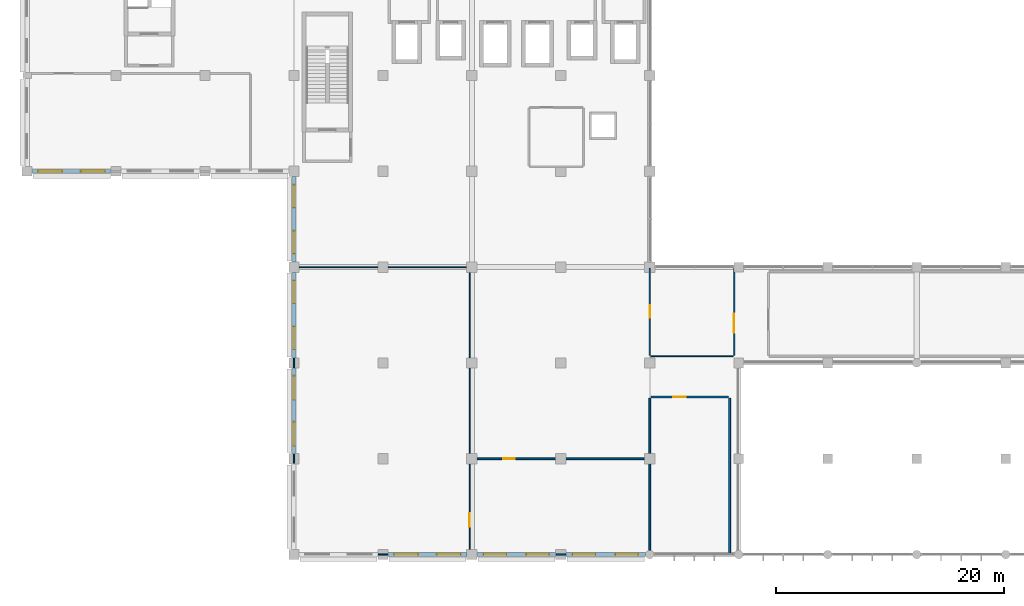
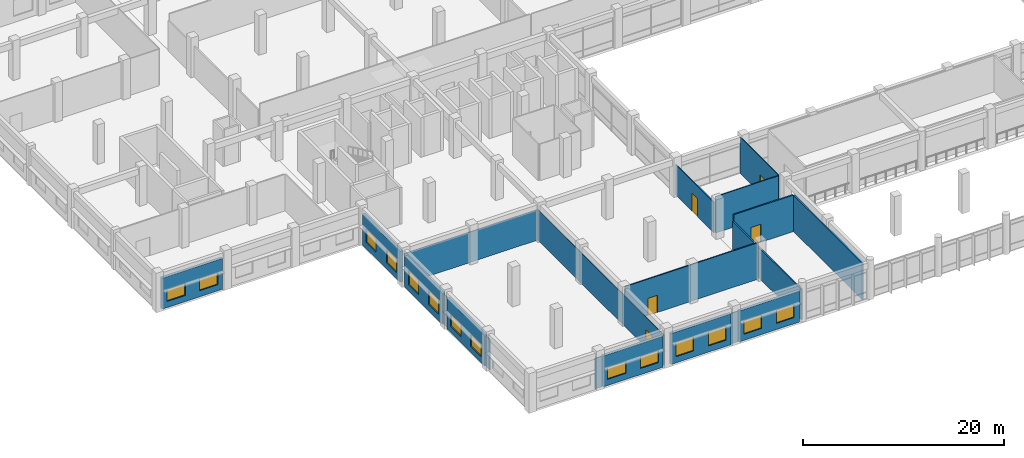
# One storey, part 53 of 79: 20 walls, 14 windows, 5 doors, 19 openings.
"""IFC4 building model written with IfcOpenShell, lengths in metres."""

from ifc_helpers import new_model, si_unit, direction, frame, frame_2d, origin, place, context, subcontext, project, spatial, rectangle, extrude, material, layer, layer_set, type_object, element, fill, save


model = new_model("IFC4")

# Units and contexts
model_context = context("Model", 3, precision=1e-05, world=origin(), true_north=direction((0.0, 1.0)))
body_context = subcontext(model_context, "Body", "Model", "MODEL_VIEW")
ifc_project = project(units=[si_unit("LENGTHUNIT", "METRE"), si_unit("AREAUNIT", "SQUARE_METRE"), si_unit("VOLUMEUNIT", "CUBIC_METRE"), si_unit("PLANEANGLEUNIT", "RADIAN"), si_unit("MASSUNIT", "GRAM", prefix="KILO"), si_unit("THERMODYNAMICTEMPERATUREUNIT", "KELVIN"), si_unit("POWERUNIT", "WATT")], contexts=[model_context])

# Site, building, storey
site_placement = place(None, origin())
site = spatial("IfcSite", under=ifc_project, at=site_placement, CompositionType="ELEMENT")
building_placement = place(site_placement, origin())
building = spatial("IfcBuilding", under=site, at=building_placement, Name="Srebrne Nadtorze General Hospital", CompositionType="ELEMENT")
storey_placement = place(building_placement, frame((0.0, 0.0, 4.800048828125)))
storey = spatial("IfcBuildingStorey", under=building, at=storey_placement, Name="L01", CompositionType="ELEMENT", Elevation=4.800048828125)

# Wall, opening, door
ifc_material_1 = material(Name="Gypsum Healthcare Partition")
ifc_layer_1 = layer(ifc_material_1, 0.139892578125)
ifc_layer_set_1 = layer_set([ifc_layer_1], Name="Gypsum Healthcare Partition")
wall_type_1 = type_object("IfcWallType", Name="Clinical partition 140", PredefinedType="PARTITIONING", material=ifc_layer_set_1)
wall_1_placement = place(storey_placement, frame((39.0849609375, 8.39990234375, 0.0), z_axis=(0.0, 0.0, 1.0), x_axis=(1.0, 0.0, 0.0)))
wall_1 = element("IfcWall", 1, at=wall_1_placement, inside=storey, type_object=wall_type_1, Name="Diagnostic Bone Mineral Densitometry Unit wall WL-INT-L01-1496", PredefinedType="PARTITIONING", context=body_context, shape_type="SweptSolid", body=[
    extrude(rectangle(XDim=15.22998046875, YDim=0.139892578125, at=frame_2d((7.614990234375, 0.0))), origin(), (0.0, 0.0, 1.0), 4.429931640625),
])
opening_1_placement = place(wall_1_placement, frame((2.64404296875, 0.0, 0.0)))
opening_1 = element("IfcOpeningElement", 2, at=opening_1_placement, cuts=wall_1, Name="Opening D-L01-0239", PredefinedType="OPENING", context=body_context, shape_type="SweptSolid", body=[
    extrude(rectangle(XDim=1.050048828125, YDim=2.10009765625, at=frame_2d((0.52490234375, 1.050048828125))), frame((0.0, 0.08203125, 0.0), z_axis=(0.0, -1.0, 0.0), x_axis=(1.0, 0.0, 0.0)), (0.0, 0.0, 1.0), 0.163818359375),
])
ifc_material_2 = material(Name="Anodised Aluminium", Category="aluminium")
door_type_1 = type_object("IfcDoorType", Name="Single leaf door 1050x2100", OperationType="NOTDEFINED", PredefinedType="DOOR", material=ifc_material_2)
door_1_placement = place(opening_1_placement, frame((1.050048828125, 0.0, 0.0), z_axis=(0.0, 0.0, 1.0), x_axis=(-1.0, 0.0, 0.0)))
door_1 = element("IfcDoor", 3, at=door_1_placement, inside=storey, type_object=door_type_1, Name="Diagnostic Bone Mineral Densitometry Unit door D-L01-0239", OperationType="SINGLE_SWING_RIGHT", OverallHeight=2.10009765625, OverallWidth=1.050048828125, PredefinedType="DOOR", context=body_context, shape_type="SweptSolid", body=[
    extrude(rectangle(XDim=1.050048828125, YDim=2.10009765625, at=frame_2d((0.52490234375, 1.050048828125))), frame((0.0, 0.02490234375, 0.0), z_axis=(0.0, -1.0, 0.0), x_axis=(1.0, 0.0, 0.0)), (0.0, 0.0, 1.0), 0.050048828125),
])
fill(opening_1, door_1)

# Wall
wall_2_placement = place(storey_placement, frame((46.389892578125, 0.0, 0.0), z_axis=(0.0, 0.0, 1.0), x_axis=(1.0, 0.0, 0.0)))
element("IfcWall", 4, at=wall_2_placement, inside=storey, type_object=wall_type_1, Name="Diagnostic Bone Mineral Densitometry Unit wall WL-INT-L01-1497", PredefinedType="PARTITIONING", context=body_context, shape_type="SweptSolid", body=[
    extrude(rectangle(XDim=0.820068359375, YDim=0.139892578125, at=frame_2d((0.41015625, 0.0))), origin(), (0.0, 0.0, 1.0), 3.699951171875),
])

# Wall, opening, door
ifc_material_3 = material(Name="Gypsum Healthcare Partition")
ifc_layer_2 = layer(ifc_material_3, 0.159912109375)
ifc_layer_set_2 = layer_set([ifc_layer_2], Name="Gypsum Healthcare Partition")
wall_type_2 = type_object("IfcWallType", Name="Clinical partition 160", PredefinedType="PARTITIONING", material=ifc_layer_set_2)
wall_3_placement = place(storey_placement, frame((54.68505859375, 13.800048828125, 0.0), z_axis=(0.0, 0.0, 1.0), x_axis=(1.0, 0.0, 0.0)))
wall_3 = element("IfcWall", 5, at=wall_3_placement, inside=storey, type_object=wall_type_2, Name="Community Health Seminar Room wall WL-INT-L01-1393", PredefinedType="PARTITIONING", context=body_context, shape_type="SweptSolid", body=[
    extrude(rectangle(XDim=6.829833984375, YDim=0.159912109375, at=frame_2d((3.4150390625, 0.0))), origin(), (0.0, 0.0, 1.0), 4.429931640625),
])
opening_2_placement = place(wall_3_placement, frame((1.966796875, 0.0, 0.0)))
opening_2 = element("IfcOpeningElement", 6, at=opening_2_placement, cuts=wall_3, Name="Opening D-L01-0214", PredefinedType="OPENING", context=body_context, shape_type="SweptSolid", body=[
    extrude(rectangle(XDim=1.1201171875, YDim=2.199951171875, at=frame_2d((0.56005859375, 1.10009765625))), frame((0.0, 0.091796875, 0.0), z_axis=(0.0, -1.0, 0.0), x_axis=(1.0, 0.0, 0.0)), (0.0, 0.0, 1.0), 0.183837890625),
])
ifc_material_4 = material(Name="Anodised Aluminium", Category="aluminium")
door_type_2 = type_object("IfcDoorType", Name="Single leaf door 1120x2200", OperationType="NOTDEFINED", PredefinedType="DOOR", material=ifc_material_4)
door_2_placement = place(opening_2_placement, frame((1.1201171875, 0.0, 0.0), z_axis=(0.0, 0.0, 1.0), x_axis=(-1.0, 0.0, 0.0)))
door_2 = element("IfcDoor", 7, at=door_2_placement, inside=storey, type_object=door_type_2, Name="Community Health Seminar Room door D-L01-0214", OperationType="SINGLE_SWING_RIGHT", OverallHeight=2.199951171875, OverallWidth=1.1201171875, PredefinedType="DOOR", context=body_context, shape_type="SweptSolid", body=[
    extrude(rectangle(XDim=1.1201171875, YDim=2.199951171875, at=frame_2d((0.56005859375, 1.10009765625))), frame((0.0, 0.02490234375, 0.0), z_axis=(0.0, -1.0, 0.0), x_axis=(1.0, 0.0, 0.0)), (0.0, 0.0, 1.0), 0.050048828125),
])
fill(opening_2, door_2)

# Walls
wall_4_placement = place(storey_placement, frame((54.60009765625, 0.0849609375, 0.0), z_axis=(0.0, 0.0, 1.0), x_axis=(0.0, 1.0, 0.0)))
element("IfcWall", 8, at=wall_4_placement, inside=storey, type_object=wall_type_2, Name="Community Health Seminar Room wall WL-INT-L01-1394", PredefinedType="PARTITIONING", context=body_context, shape_type="SweptSolid", body=[
    extrude(rectangle(XDim=13.630126953125, YDim=0.159912109375, at=frame_2d((6.81494140625, 0.0))), origin(), (0.0, 0.0, 1.0), 3.699951171875),
])
wall_5_placement = place(storey_placement, frame((61.60009765625, 0.0849609375, 0.0), z_axis=(0.0, 0.0, 1.0), x_axis=(0.0, 1.0, 0.0)))
element("IfcWall", 9, at=wall_5_placement, inside=storey, type_object=wall_type_2, Name="Community Health Seminar Room wall WL-INT-L01-1395", PredefinedType="PARTITIONING", context=body_context, shape_type="SweptSolid", body=[
    extrude(rectangle(XDim=13.630126953125, YDim=0.159912109375, at=frame_2d((6.81494140625, 0.0))), origin(), (0.0, 0.0, 1.0), 4.429931640625),
])

# Wall, opening, door
ifc_material_5 = material(Name="Gypsum Healthcare Partition")
ifc_layer_3 = layer(ifc_material_5, 0.10009765625)
ifc_layer_set_3 = layer_set([ifc_layer_3], Name="Gypsum Healthcare Partition")
wall_type_3 = type_object("IfcWallType", Name="Shaft lining wall 100", PredefinedType="PARTITIONING", material=ifc_layer_set_3)
wall_6_placement = place(storey_placement, frame((62.0, 17.485107421875, 0.0), z_axis=(0.0, 0.0, 1.0), x_axis=(0.0, 1.0, 0.0)))
wall_6 = element("IfcWall", 10, at=wall_6_placement, inside=storey, type_object=wall_type_3, Name="Volunteer Support Office wall WL-INT-L01-1399", PredefinedType="PARTITIONING", context=body_context, shape_type="SweptSolid", body=[
    extrude(rectangle(XDim=7.6298828125, YDim=0.10009765625, at=frame_2d((3.81494140625, 0.0))), origin(), (0.0, 0.0, 1.0), 4.429931640625),
])
opening_3_placement = place(wall_6_placement, frame((1.96240234375, 0.0, 0.0)))
opening_3 = element("IfcOpeningElement", 11, at=opening_3_placement, cuts=wall_6, Name="Opening D-L01-0216", PredefinedType="OPENING", context=body_context, shape_type="SweptSolid", body=[
    extrude(rectangle(XDim=1.64990234375, YDim=2.25, at=frame_2d((0.824951171875, 1.125))), frame((0.0, 0.06201171875, 0.0), z_axis=(0.0, -1.0, 0.0), x_axis=(1.0, 0.0, 0.0)), (0.0, 0.0, 1.0), 0.1240234375),
])
ifc_material_6 = material(Name="Anodised Aluminium", Category="aluminium")
door_type_3 = type_object("IfcDoorType", Name="Double leaf door 1650x2250", OperationType="DOUBLE_DOOR_SINGLE_SWING", PredefinedType="DOOR", material=ifc_material_6)
door_3_placement = place(opening_3_placement, origin())
door_3 = element("IfcDoor", 12, at=door_3_placement, inside=storey, type_object=door_type_3, Name="Volunteer Support Office door D-L01-0216", OperationType="DOUBLE_DOOR_SINGLE_SWING", OverallHeight=2.25, OverallWidth=1.64990234375, PredefinedType="DOOR", context=body_context, shape_type="SweptSolid", body=[
    extrude(rectangle(XDim=1.64990234375, YDim=2.25, at=frame_2d((0.824951171875, 1.125))), frame((0.0, 0.02490234375, 0.0), z_axis=(0.0, -1.0, 0.0), x_axis=(1.0, 0.0, 0.0)), (0.0, 0.0, 1.0), 0.050048828125),
])
fill(opening_3, door_3)

# Wall
wall_7_placement = place(storey_placement, frame((54.68505859375, 17.39990234375, 0.0), z_axis=(0.0, 0.0, 1.0), x_axis=(1.0, 0.0, 0.0)))
element("IfcWall", 13, at=wall_7_placement, inside=storey, type_object=wall_type_3, Name="Volunteer Support Office wall WL-INT-L01-1400", PredefinedType="PARTITIONING", context=body_context, shape_type="SweptSolid", body=[
    extrude(rectangle(XDim=7.22998046875, YDim=0.10009765625, at=frame_2d((3.614990234375, 0.0))), origin(), (0.0, 0.0, 1.0), 4.429931640625),
])

# Wall, opening, door
wall_8_placement = place(storey_placement, frame((54.60009765625, 17.485107421875, 0.0), z_axis=(0.0, 0.0, 1.0), x_axis=(0.0, 1.0, 0.0)))
wall_8 = element("IfcWall", 14, at=wall_8_placement, inside=storey, type_object=wall_type_3, Name="Volunteer Support Office wall WL-INT-L01-1401", PredefinedType="PARTITIONING", context=body_context, shape_type="SweptSolid", body=[
    extrude(rectangle(XDim=7.6298828125, YDim=0.10009765625, at=frame_2d((3.81494140625, 0.0))), origin(), (0.0, 0.0, 1.0), 3.699951171875),
])
opening_4_placement = place(wall_8_placement, frame((3.2900390625, 0.0, 0.0)))
opening_4 = element("IfcOpeningElement", 15, at=opening_4_placement, cuts=wall_8, Name="Opening D-L01-0599", PredefinedType="OPENING", context=body_context, shape_type="SweptSolid", body=[
    extrude(rectangle(XDim=1.080078125, YDim=2.14990234375, at=frame_2d((0.5400390625, 1.074951171875))), frame((0.0, 0.06201171875, 0.0), z_axis=(0.0, -1.0, 0.0), x_axis=(1.0, 0.0, 0.0)), (0.0, 0.0, 1.0), 0.1240234375),
])
ifc_material_7 = material(Name="Anodised Aluminium", Category="aluminium")
door_type_4 = type_object("IfcDoorType", Name="Single leaf door 1080x2150", OperationType="NOTDEFINED", PredefinedType="DOOR", material=ifc_material_7)
door_4_placement = place(opening_4_placement, frame((1.080078125, 0.0, 0.0), z_axis=(0.0, 0.0, 1.0), x_axis=(-1.0, 0.0, 0.0)))
door_4 = element("IfcDoor", 16, at=door_4_placement, inside=storey, type_object=door_type_4, Name="Volunteer Support Office link door D-L01-0599", OperationType="SINGLE_SWING_LEFT", OverallHeight=2.14990234375, OverallWidth=1.080078125, PredefinedType="DOOR", context=body_context, shape_type="SweptSolid", body=[
    extrude(rectangle(XDim=1.080078125, YDim=2.14990234375, at=frame_2d((0.5400390625, 1.074951171875))), frame((0.0, 0.02490234375, 0.0), z_axis=(0.0, -1.0, 0.0), x_axis=(1.0, 0.0, 0.0)), (0.0, 0.0, 1.0), 0.050048828125),
])
fill(opening_4, door_4)

wall_9_placement = place(storey_placement, frame((38.800048828125, 0.0849609375, 0.0), z_axis=(0.0, 0.0, 1.0), x_axis=(0.0, 1.0, 0.0)))
wall_9 = element("IfcWall", 17, at=wall_9_placement, inside=storey, type_object=wall_type_3, Name="Mammography and Bone Densitometry wall WL-INT-L01-1451", PredefinedType="PARTITIONING", context=body_context, shape_type="SweptSolid", body=[
    extrude(rectangle(XDim=25.030029296875, YDim=0.10009765625, at=frame_2d((12.51513671875, 0.0))), origin(), (0.0, 0.0, 1.0), 3.699951171875),
])
opening_5_placement = place(wall_9_placement, frame((2.341064453125, 0.0, 0.0)))
opening_5 = element("IfcOpeningElement", 18, at=opening_5_placement, cuts=wall_9, Name="Opening D-L01-0228", PredefinedType="OPENING", context=body_context, shape_type="SweptSolid", body=[
    extrude(rectangle(XDim=1.179931640625, YDim=2.199951171875, at=frame_2d((0.58984375, 1.10009765625))), frame((0.0, 0.06201171875, 0.0), z_axis=(0.0, -1.0, 0.0), x_axis=(1.0, 0.0, 0.0)), (0.0, 0.0, 1.0), 0.1240234375),
])
ifc_material_8 = material(Name="Anodised Aluminium", Category="aluminium")
door_type_5 = type_object("IfcDoorType", Name="Single leaf door 1180x2200", OperationType="NOTDEFINED", PredefinedType="DOOR", material=ifc_material_8)
door_5_placement = place(opening_5_placement, origin())
door_5 = element("IfcDoor", 19, at=door_5_placement, inside=storey, type_object=door_type_5, Name="Mammography and Bone Densitometry door D-L01-0228", OperationType="SINGLE_SWING_LEFT", OverallHeight=2.199951171875, OverallWidth=1.179931640625, PredefinedType="DOOR", context=body_context, shape_type="SweptSolid", body=[
    extrude(rectangle(XDim=1.179931640625, YDim=2.199951171875, at=frame_2d((0.58984375, 1.10009765625))), frame((0.0, 0.02490234375, 0.0), z_axis=(0.0, -1.0, 0.0), x_axis=(1.0, 0.0, 0.0)), (0.0, 0.0, 1.0), 0.050048828125),
])
fill(opening_5, door_5)

# Walls
wall_10_placement = place(storey_placement, frame((30.7900390625, 0.0, 0.0), z_axis=(0.0, 0.0, 1.0), x_axis=(1.0, 0.0, 0.0)))
element("IfcWall", 20, at=wall_10_placement, inside=storey, type_object=wall_type_3, Name="Mammography and Bone Densitometry wall WL-INT-L01-1452", PredefinedType="PARTITIONING", context=body_context, shape_type="SweptSolid", body=[
    extrude(rectangle(XDim=0.820068359375, YDim=0.10009765625, at=frame_2d((0.41015625, 0.0))), origin(), (0.0, 0.0, 1.0), 3.699951171875),
])
wall_11_placement = place(storey_placement, frame((23.485107421875, 25.199951171875, 0.0), z_axis=(0.0, 0.0, 1.0), x_axis=(1.0, 0.0, 0.0)))
element("IfcWall", 21, at=wall_11_placement, inside=storey, type_object=wall_type_3, Name="Mammography and Bone Densitometry wall WL-INT-L01-1453", PredefinedType="PARTITIONING", context=body_context, shape_type="SweptSolid", body=[
    extrude(rectangle(XDim=15.22998046875, YDim=0.10009765625, at=frame_2d((7.614990234375, 0.0))), origin(), (0.0, 0.0, 1.0), 3.699951171875),
])
for number, where, z_axis, x_axis, name in (
    (22, (23.39990234375, 7.989990234375, 0.0), (0.0, 0.0, 1.0), (0.0, 1.0, 0.0), "Mammography and Bone Densitometry wall WL-INT-L01-1454"),
    (23, (23.39990234375, 16.389892578125, 0.0), (0.0, 0.0, 1.0), (0.0, 1.0, 0.0), "Mammography and Bone Densitometry wall WL-INT-L01-1455"),
):
    element("IfcWall", number, at=place(storey_placement, frame(where, z_axis=z_axis, x_axis=x_axis)), inside=storey, type_object=wall_type_3, Name=name, PredefinedType="PARTITIONING", context=body_context, shape_type="SweptSolid", body=[
        extrude(rectangle(XDim=0.820068359375, YDim=0.10009765625, at=frame_2d((0.41015625, 0.0))), origin(), (0.0, 0.0, 1.0), 3.699951171875),
    ])

# Wall, openings, windows
ifc_material_9 = material(Name="Concrete C35/45", Category="concrete")
ifc_layer_4 = layer(ifc_material_9, 0.320068359375)
ifc_layer_set_4 = layer_set([ifc_layer_4], Name="Concrete C35/45")
wall_type_4 = type_object("IfcWallType", Name="Spandrel wall 320", PredefinedType="STANDARD", material=ifc_layer_set_4)
wall_12_placement = place(storey_placement, frame((31.64990234375, 0.0, 0.0), z_axis=(0.0, 0.0, 1.0), x_axis=(1.0, 0.0, 0.0)))
wall_12 = element("IfcWall", 24, at=wall_12_placement, inside=storey, type_object=wall_type_4, Name="Exterior wall WL-ENV-L01-0151", PredefinedType="STANDARD", context=body_context, shape_type="SweptSolid", body=[
    extrude(rectangle(XDim=6.900146484375, YDim=0.320068359375, at=frame_2d((3.4501953125, 0.0))), origin(), (0.0, 0.0, 1.0), 3.75),
])
opening_6_placement = place(wall_12_placement, frame((0.528076171875, 0.0, 0.75)))
opening_6 = element("IfcOpeningElement", 25, at=opening_6_placement, cuts=wall_12, Name="Opening WN-L01-0121", PredefinedType="OPENING", context=body_context, shape_type="SweptSolid", body=[
    extrude(rectangle(XDim=2.10009765625, YDim=1.449951171875, at=frame_2d((1.050048828125, 0.72509765625))), frame((0.0, 0.171875, 0.0), z_axis=(0.0, -1.0, 0.0), x_axis=(1.0, 0.0, 0.0)), (0.0, 0.0, 1.0), 0.343994140625),
])
opening_7_placement = place(wall_12_placement, frame((4.27197265625, 0.0, 0.75)))
opening_7 = element("IfcOpeningElement", 26, at=opening_7_placement, cuts=wall_12, Name="Opening WN-L01-0122", PredefinedType="OPENING", context=body_context, shape_type="SweptSolid", body=[
    extrude(rectangle(XDim=2.10009765625, YDim=1.449951171875, at=frame_2d((1.050048828125, 0.72509765625))), frame((0.0, 0.171875, 0.0), z_axis=(0.0, -1.0, 0.0), x_axis=(1.0, 0.0, 0.0)), (0.0, 0.0, 1.0), 0.343994140625),
])
ifc_material_10 = material(Name="Triple Low-E Glazing", Category="glass")
window_type_1 = type_object("IfcWindowType", Name="Punched clinical window 2100x1450", PartitioningType="DOUBLE_PANEL_VERTICAL", PredefinedType="WINDOW", material=ifc_material_10)
window_1_placement = place(opening_6_placement, origin())
window_1 = element("IfcWindow", 27, at=window_1_placement, inside=storey, type_object=window_type_1, Name="Clinical window WN-L01-0121", OverallHeight=1.449951171875, OverallWidth=2.10009765625, PartitioningType="DOUBLE_PANEL_VERTICAL", PredefinedType="WINDOW", context=body_context, shape_type="SweptSolid", body=[
    extrude(rectangle(XDim=2.10009765625, YDim=1.449951171875, at=frame_2d((1.050048828125, 0.72509765625))), frame((0.0, 0.030029296875, 0.0), z_axis=(0.0, -1.0, 0.0), x_axis=(1.0, 0.0, 0.0)), (0.0, 0.0, 1.0), 0.06005859375),
])
fill(opening_6, window_1)
window_2_placement = place(opening_7_placement, origin())
window_2 = element("IfcWindow", 28, at=window_2_placement, inside=storey, type_object=window_type_1, Name="Clinical window WN-L01-0122", OverallHeight=1.449951171875, OverallWidth=2.10009765625, PartitioningType="DOUBLE_PANEL_VERTICAL", PredefinedType="WINDOW", context=body_context, shape_type="SweptSolid", body=[
    extrude(rectangle(XDim=2.10009765625, YDim=1.449951171875, at=frame_2d((1.050048828125, 0.72509765625))), frame((0.0, 0.030029296875, 0.0), z_axis=(0.0, -1.0, 0.0), x_axis=(1.0, 0.0, 0.0)), (0.0, 0.0, 1.0), 0.06005859375),
])
fill(opening_7, window_2)

wall_13_placement = place(storey_placement, frame((39.449951171875, 0.0, 0.0), z_axis=(0.0, 0.0, 1.0), x_axis=(1.0, 0.0, 0.0)))
wall_13 = element("IfcWall", 29, at=wall_13_placement, inside=storey, type_object=wall_type_4, Name="Exterior wall WL-ENV-L01-0152", PredefinedType="STANDARD", context=body_context, shape_type="SweptSolid", body=[
    extrude(rectangle(XDim=6.900146484375, YDim=0.320068359375, at=frame_2d((3.4501953125, 0.0))), origin(), (0.0, 0.0, 1.0), 3.75),
])
opening_8_placement = place(wall_13_placement, frame((0.577880859375, 0.0, 0.75)))
opening_8 = element("IfcOpeningElement", 30, at=opening_8_placement, cuts=wall_13, Name="Opening WN-L01-0123", PredefinedType="OPENING", context=body_context, shape_type="SweptSolid", body=[
    extrude(rectangle(XDim=2.0, YDim=1.75, at=frame_2d((1.0, 0.875))), frame((0.0, 0.171875, 0.0), z_axis=(0.0, -1.0, 0.0), x_axis=(1.0, 0.0, 0.0)), (0.0, 0.0, 1.0), 0.343994140625),
])
opening_9_placement = place(wall_13_placement, frame((4.322021484375, 0.0, 0.75)))
opening_9 = element("IfcOpeningElement", 31, at=opening_9_placement, cuts=wall_13, Name="Opening WN-L01-0124", PredefinedType="OPENING", context=body_context, shape_type="SweptSolid", body=[
    extrude(rectangle(XDim=2.0, YDim=1.75, at=frame_2d((1.0, 0.875))), frame((0.0, 0.171875, 0.0), z_axis=(0.0, -1.0, 0.0), x_axis=(1.0, 0.0, 0.0)), (0.0, 0.0, 1.0), 0.343994140625),
])
ifc_material_11 = material(Name="Triple Low-E Glazing", Category="glass")
window_type_2 = type_object("IfcWindowType", Name="Punched clinical window 2000x1750", PartitioningType="DOUBLE_PANEL_VERTICAL", PredefinedType="WINDOW", material=ifc_material_11)
window_3_placement = place(opening_8_placement, origin())
window_3 = element("IfcWindow", 32, at=window_3_placement, inside=storey, type_object=window_type_2, Name="Clinical window WN-L01-0123", OverallHeight=1.75, OverallWidth=2.0, PartitioningType="DOUBLE_PANEL_VERTICAL", PredefinedType="WINDOW", context=body_context, shape_type="SweptSolid", body=[
    extrude(rectangle(XDim=2.0, YDim=1.75, at=frame_2d((1.0, 0.875))), frame((0.0, 0.030029296875, 0.0), z_axis=(0.0, -1.0, 0.0), x_axis=(1.0, 0.0, 0.0)), (0.0, 0.0, 1.0), 0.06005859375),
])
fill(opening_8, window_3)
window_4_placement = place(opening_9_placement, origin())
window_4 = element("IfcWindow", 33, at=window_4_placement, inside=storey, type_object=window_type_2, Name="Clinical window WN-L01-0124", OverallHeight=1.75, OverallWidth=2.0, PartitioningType="DOUBLE_PANEL_VERTICAL", PredefinedType="WINDOW", context=body_context, shape_type="SweptSolid", body=[
    extrude(rectangle(XDim=2.0, YDim=1.75, at=frame_2d((1.0, 0.875))), frame((0.0, 0.030029296875, 0.0), z_axis=(0.0, -1.0, 0.0), x_axis=(1.0, 0.0, 0.0)), (0.0, 0.0, 1.0), 0.06005859375),
])
fill(opening_9, window_4)

wall_14_placement = place(storey_placement, frame((47.25, 0.0, 0.0), z_axis=(0.0, 0.0, 1.0), x_axis=(1.0, 0.0, 0.0)))
wall_14 = element("IfcWall", 34, at=wall_14_placement, inside=storey, type_object=wall_type_4, Name="Exterior wall WL-ENV-L01-0153", PredefinedType="STANDARD", context=body_context, shape_type="SweptSolid", body=[
    extrude(rectangle(XDim=6.97509765625, YDim=0.320068359375, at=frame_2d((3.487548828125, 0.0))), origin(), (0.0, 0.0, 1.0), 3.75),
])
opening_10_placement = place(wall_14_placement, frame((0.577880859375, 0.0, 0.75)))
opening_10 = element("IfcOpeningElement", 35, at=opening_10_placement, cuts=wall_14, Name="Opening WN-L01-0125", PredefinedType="OPENING", context=body_context, shape_type="SweptSolid", body=[
    extrude(rectangle(XDim=2.0, YDim=1.64990234375, at=frame_2d((1.0, 0.824951171875))), frame((0.0, 0.171875, 0.0), z_axis=(0.0, -1.0, 0.0), x_axis=(1.0, 0.0, 0.0)), (0.0, 0.0, 1.0), 0.343994140625),
])
opening_11_placement = place(wall_14_placement, frame((4.322021484375, 0.0, 0.75)))
opening_11 = element("IfcOpeningElement", 36, at=opening_11_placement, cuts=wall_14, Name="Opening WN-L01-0126", PredefinedType="OPENING", context=body_context, shape_type="SweptSolid", body=[
    extrude(rectangle(XDim=2.0, YDim=1.64990234375, at=frame_2d((1.0, 0.824951171875))), frame((0.0, 0.171875, 0.0), z_axis=(0.0, -1.0, 0.0), x_axis=(1.0, 0.0, 0.0)), (0.0, 0.0, 1.0), 0.343994140625),
])
ifc_material_12 = material(Name="Triple Low-E Glazing", Category="glass")
window_type_3 = type_object("IfcWindowType", Name="Punched clinical window 2000x1650", PartitioningType="DOUBLE_PANEL_VERTICAL", PredefinedType="WINDOW", material=ifc_material_12)
window_5_placement = place(opening_10_placement, origin())
window_5 = element("IfcWindow", 37, at=window_5_placement, inside=storey, type_object=window_type_3, Name="Clinical window WN-L01-0125", OverallHeight=1.64990234375, OverallWidth=2.0, PartitioningType="DOUBLE_PANEL_VERTICAL", PredefinedType="WINDOW", context=body_context, shape_type="SweptSolid", body=[
    extrude(rectangle(XDim=2.0, YDim=1.64990234375, at=frame_2d((1.0, 0.824951171875))), frame((0.0, 0.030029296875, 0.0), z_axis=(0.0, -1.0, 0.0), x_axis=(1.0, 0.0, 0.0)), (0.0, 0.0, 1.0), 0.06005859375),
])
fill(opening_10, window_5)
window_6_placement = place(opening_11_placement, origin())
window_6 = element("IfcWindow", 38, at=window_6_placement, inside=storey, type_object=window_type_3, Name="Clinical window WN-L01-0126", OverallHeight=1.64990234375, OverallWidth=2.0, PartitioningType="DOUBLE_PANEL_VERTICAL", PredefinedType="WINDOW", context=body_context, shape_type="SweptSolid", body=[
    extrude(rectangle(XDim=2.0, YDim=1.64990234375, at=frame_2d((1.0, 0.824951171875))), frame((0.0, 0.030029296875, 0.0), z_axis=(0.0, -1.0, 0.0), x_axis=(1.0, 0.0, 0.0)), (0.0, 0.0, 1.0), 0.06005859375),
])
fill(opening_11, window_6)

wall_15_placement = place(storey_placement, frame((0.425048828125, 33.60009765625, 0.0), z_axis=(0.0, 0.0, 1.0), x_axis=(1.0, 0.0, 0.0)))
wall_15 = element("IfcWall", 39, at=wall_15_placement, inside=storey, type_object=wall_type_4, Name="Exterior wall WL-ENV-L01-0156", PredefinedType="STANDARD", context=body_context, shape_type="SweptSolid", body=[
    extrude(rectangle(XDim=6.949951171875, YDim=0.320068359375, at=frame_2d((3.47509765625, 0.0))), origin(), (0.0, 0.0, 1.0), 3.75),
])
opening_12_placement = place(wall_15_placement, frame((0.552978515625, 0.0, 0.75)))
opening_12 = element("IfcOpeningElement", 40, at=opening_12_placement, cuts=wall_15, Name="Opening WN-L01-0133", PredefinedType="OPENING", context=body_context, shape_type="SweptSolid", body=[
    extrude(rectangle(XDim=2.10009765625, YDim=1.449951171875, at=frame_2d((1.050048828125, 0.72509765625))), frame((0.0, 0.171875, 0.0), z_axis=(0.0, -1.0, 0.0), x_axis=(1.0, 0.0, 0.0)), (0.0, 0.0, 1.0), 0.343994140625),
])
opening_13_placement = place(wall_15_placement, frame((4.297119140625, 0.0, 0.75)))
opening_13 = element("IfcOpeningElement", 41, at=opening_13_placement, cuts=wall_15, Name="Opening WN-L01-0134", PredefinedType="OPENING", context=body_context, shape_type="SweptSolid", body=[
    extrude(rectangle(XDim=2.10009765625, YDim=1.449951171875, at=frame_2d((1.050048828125, 0.72509765625))), frame((0.0, 0.171875, 0.0), z_axis=(0.0, -1.0, 0.0), x_axis=(1.0, 0.0, 0.0)), (0.0, 0.0, 1.0), 0.343994140625),
])
window_7_placement = place(opening_12_placement, origin())
window_7 = element("IfcWindow", 42, at=window_7_placement, inside=storey, type_object=window_type_1, Name="Clinical window WN-L01-0133", OverallHeight=1.449951171875, OverallWidth=2.10009765625, PartitioningType="DOUBLE_PANEL_VERTICAL", PredefinedType="WINDOW", context=body_context, shape_type="SweptSolid", body=[
    extrude(rectangle(XDim=2.10009765625, YDim=1.449951171875, at=frame_2d((1.050048828125, 0.72509765625))), frame((0.0, 0.030029296875, 0.0), z_axis=(0.0, -1.0, 0.0), x_axis=(1.0, 0.0, 0.0)), (0.0, 0.0, 1.0), 0.06005859375),
])
fill(opening_12, window_7)
window_8_placement = place(opening_13_placement, origin())
window_8 = element("IfcWindow", 43, at=window_8_placement, inside=storey, type_object=window_type_1, Name="Clinical window WN-L01-0134", OverallHeight=1.449951171875, OverallWidth=2.10009765625, PartitioningType="DOUBLE_PANEL_VERTICAL", PredefinedType="WINDOW", context=body_context, shape_type="SweptSolid", body=[
    extrude(rectangle(XDim=2.10009765625, YDim=1.449951171875, at=frame_2d((1.050048828125, 0.72509765625))), frame((0.0, 0.030029296875, 0.0), z_axis=(0.0, -1.0, 0.0), x_axis=(1.0, 0.0, 0.0)), (0.0, 0.0, 1.0), 0.06005859375),
])
fill(opening_13, window_8)

wall_16_placement = place(storey_placement, frame((23.39990234375, 8.85009765625, 0.0), z_axis=(0.0, 0.0, 1.0), x_axis=(0.0, 1.0, 0.0)))
wall_16 = element("IfcWall", 44, at=wall_16_placement, inside=storey, type_object=wall_type_4, Name="Exterior wall WL-ENV-L01-0191", PredefinedType="STANDARD", context=body_context, shape_type="SweptSolid", body=[
    extrude(rectangle(XDim=7.5, YDim=0.320068359375, at=frame_2d((3.75, 0.0))), origin(), (0.0, 0.0, 1.0), 3.75),
])
opening_14_placement = place(wall_16_placement, frame((0.68408203125, 0.0, 0.75)))
opening_14 = element("IfcOpeningElement", 45, at=opening_14_placement, cuts=wall_16, Name="Opening WN-L01-0202", PredefinedType="OPENING", context=body_context, shape_type="SweptSolid", body=[
    extrude(rectangle(XDim=2.10009765625, YDim=1.449951171875, at=frame_2d((1.050048828125, 0.72509765625))), frame((0.0, 0.171875, 0.0), z_axis=(0.0, -1.0, 0.0), x_axis=(1.0, 0.0, 0.0)), (0.0, 0.0, 1.0), 0.343994140625),
])
opening_15_placement = place(wall_16_placement, frame((4.716064453125, 0.0, 0.75)))
opening_15 = element("IfcOpeningElement", 46, at=opening_15_placement, cuts=wall_16, Name="Opening WN-L01-0203", PredefinedType="OPENING", context=body_context, shape_type="SweptSolid", body=[
    extrude(rectangle(XDim=2.10009765625, YDim=1.449951171875, at=frame_2d((1.050048828125, 0.72509765625))), frame((0.0, 0.171875, 0.0), z_axis=(0.0, -1.0, 0.0), x_axis=(1.0, 0.0, 0.0)), (0.0, 0.0, 1.0), 0.343994140625),
])
window_9_placement = place(opening_14_placement, origin())
window_9 = element("IfcWindow", 47, at=window_9_placement, inside=storey, type_object=window_type_1, Name="Clinical window WN-L01-0202", OverallHeight=1.449951171875, OverallWidth=2.10009765625, PartitioningType="DOUBLE_PANEL_VERTICAL", PredefinedType="WINDOW", context=body_context, shape_type="SweptSolid", body=[
    extrude(rectangle(XDim=2.10009765625, YDim=1.449951171875, at=frame_2d((1.050048828125, 0.72509765625))), frame((0.0, 0.030029296875, 0.0), z_axis=(0.0, -1.0, 0.0), x_axis=(1.0, 0.0, 0.0)), (0.0, 0.0, 1.0), 0.06005859375),
])
fill(opening_14, window_9)
window_10_placement = place(opening_15_placement, origin())
window_10 = element("IfcWindow", 48, at=window_10_placement, inside=storey, type_object=window_type_1, Name="Clinical window WN-L01-0203", OverallHeight=1.449951171875, OverallWidth=2.10009765625, PartitioningType="DOUBLE_PANEL_VERTICAL", PredefinedType="WINDOW", context=body_context, shape_type="SweptSolid", body=[
    extrude(rectangle(XDim=2.10009765625, YDim=1.449951171875, at=frame_2d((1.050048828125, 0.72509765625))), frame((0.0, 0.030029296875, 0.0), z_axis=(0.0, -1.0, 0.0), x_axis=(1.0, 0.0, 0.0)), (0.0, 0.0, 1.0), 0.06005859375),
])
fill(opening_15, window_10)

wall_17_placement = place(storey_placement, frame((23.39990234375, 17.25, 0.0), z_axis=(0.0, 0.0, 1.0), x_axis=(0.0, 1.0, 0.0)))
wall_17 = element("IfcWall", 49, at=wall_17_placement, inside=storey, type_object=wall_type_4, Name="Exterior wall WL-ENV-L01-0192", PredefinedType="STANDARD", context=body_context, shape_type="SweptSolid", body=[
    extrude(rectangle(XDim=7.5, YDim=0.320068359375, at=frame_2d((3.75, 0.0))), origin(), (0.0, 0.0, 1.0), 3.75),
])
opening_16_placement = place(wall_17_placement, frame((0.73388671875, 0.0, 0.75)))
opening_16 = element("IfcOpeningElement", 50, at=opening_16_placement, cuts=wall_17, Name="Opening WN-L01-0204", PredefinedType="OPENING", context=body_context, shape_type="SweptSolid", body=[
    extrude(rectangle(XDim=2.0, YDim=1.75, at=frame_2d((1.0, 0.875))), frame((0.0, 0.171875, 0.0), z_axis=(0.0, -1.0, 0.0), x_axis=(1.0, 0.0, 0.0)), (0.0, 0.0, 1.0), 0.343994140625),
])
opening_17_placement = place(wall_17_placement, frame((4.76611328125, 0.0, 0.75)))
opening_17 = element("IfcOpeningElement", 51, at=opening_17_placement, cuts=wall_17, Name="Opening WN-L01-0205", PredefinedType="OPENING", context=body_context, shape_type="SweptSolid", body=[
    extrude(rectangle(XDim=2.0, YDim=1.75, at=frame_2d((1.0, 0.875))), frame((0.0, 0.171875, 0.0), z_axis=(0.0, -1.0, 0.0), x_axis=(1.0, 0.0, 0.0)), (0.0, 0.0, 1.0), 0.343994140625),
])
window_11_placement = place(opening_16_placement, origin())
window_11 = element("IfcWindow", 52, at=window_11_placement, inside=storey, type_object=window_type_2, Name="Clinical window WN-L01-0204", OverallHeight=1.75, OverallWidth=2.0, PartitioningType="DOUBLE_PANEL_VERTICAL", PredefinedType="WINDOW", context=body_context, shape_type="SweptSolid", body=[
    extrude(rectangle(XDim=2.0, YDim=1.75, at=frame_2d((1.0, 0.875))), frame((0.0, 0.030029296875, 0.0), z_axis=(0.0, -1.0, 0.0), x_axis=(1.0, 0.0, 0.0)), (0.0, 0.0, 1.0), 0.06005859375),
])
fill(opening_16, window_11)
window_12_placement = place(opening_17_placement, origin())
window_12 = element("IfcWindow", 53, at=window_12_placement, inside=storey, type_object=window_type_2, Name="Clinical window WN-L01-0205", OverallHeight=1.75, OverallWidth=2.0, PartitioningType="DOUBLE_PANEL_VERTICAL", PredefinedType="WINDOW", context=body_context, shape_type="SweptSolid", body=[
    extrude(rectangle(XDim=2.0, YDim=1.75, at=frame_2d((1.0, 0.875))), frame((0.0, 0.030029296875, 0.0), z_axis=(0.0, -1.0, 0.0), x_axis=(1.0, 0.0, 0.0)), (0.0, 0.0, 1.0), 0.06005859375),
])
fill(opening_17, window_12)

wall_18_placement = place(storey_placement, frame((23.39990234375, 25.64990234375, 0.0), z_axis=(0.0, 0.0, 1.0), x_axis=(0.0, 1.0, 0.0)))
wall_18 = element("IfcWall", 54, at=wall_18_placement, inside=storey, type_object=wall_type_4, Name="Exterior wall WL-ENV-L01-0193", PredefinedType="STANDARD", context=body_context, shape_type="SweptSolid", body=[
    extrude(rectangle(XDim=7.5, YDim=0.320068359375, at=frame_2d((3.75, 0.0))), origin(), (0.0, 0.0, 1.0), 3.75),
])
opening_18_placement = place(wall_18_placement, frame((0.73388671875, 0.0, 0.75)))
opening_18 = element("IfcOpeningElement", 55, at=opening_18_placement, cuts=wall_18, Name="Opening WN-L01-0206", PredefinedType="OPENING", context=body_context, shape_type="SweptSolid", body=[
    extrude(rectangle(XDim=2.0, YDim=1.64990234375, at=frame_2d((1.0, 0.824951171875))), frame((0.0, 0.171875, 0.0), z_axis=(0.0, -1.0, 0.0), x_axis=(1.0, 0.0, 0.0)), (0.0, 0.0, 1.0), 0.343994140625),
])
opening_19_placement = place(wall_18_placement, frame((4.76611328125, 0.0, 0.75)))
opening_19 = element("IfcOpeningElement", 56, at=opening_19_placement, cuts=wall_18, Name="Opening WN-L01-0207", PredefinedType="OPENING", context=body_context, shape_type="SweptSolid", body=[
    extrude(rectangle(XDim=2.0, YDim=1.64990234375, at=frame_2d((1.0, 0.824951171875))), frame((0.0, 0.171875, 0.0), z_axis=(0.0, -1.0, 0.0), x_axis=(1.0, 0.0, 0.0)), (0.0, 0.0, 1.0), 0.343994140625),
])
window_13_placement = place(opening_18_placement, origin())
window_13 = element("IfcWindow", 57, at=window_13_placement, inside=storey, type_object=window_type_3, Name="Clinical window WN-L01-0206", OverallHeight=1.64990234375, OverallWidth=2.0, PartitioningType="DOUBLE_PANEL_VERTICAL", PredefinedType="WINDOW", context=body_context, shape_type="SweptSolid", body=[
    extrude(rectangle(XDim=2.0, YDim=1.64990234375, at=frame_2d((1.0, 0.824951171875))), frame((0.0, 0.030029296875, 0.0), z_axis=(0.0, -1.0, 0.0), x_axis=(1.0, 0.0, 0.0)), (0.0, 0.0, 1.0), 0.06005859375),
])
fill(opening_18, window_13)
window_14_placement = place(opening_19_placement, origin())
window_14 = element("IfcWindow", 58, at=window_14_placement, inside=storey, type_object=window_type_3, Name="Clinical window WN-L01-0207", OverallHeight=1.64990234375, OverallWidth=2.0, PartitioningType="DOUBLE_PANEL_VERTICAL", PredefinedType="WINDOW", context=body_context, shape_type="SweptSolid", body=[
    extrude(rectangle(XDim=2.0, YDim=1.64990234375, at=frame_2d((1.0, 0.824951171875))), frame((0.0, 0.030029296875, 0.0), z_axis=(0.0, -1.0, 0.0), x_axis=(1.0, 0.0, 0.0)), (0.0, 0.0, 1.0), 0.06005859375),
])
fill(opening_19, window_14)

save(model, "model.ifc")
